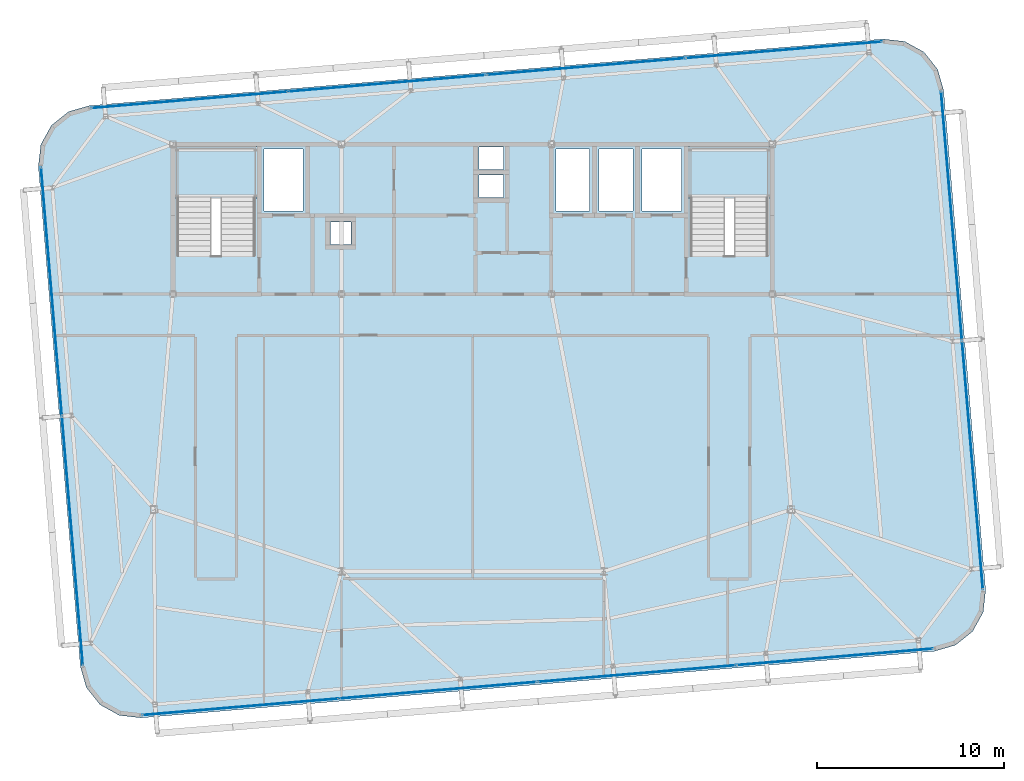
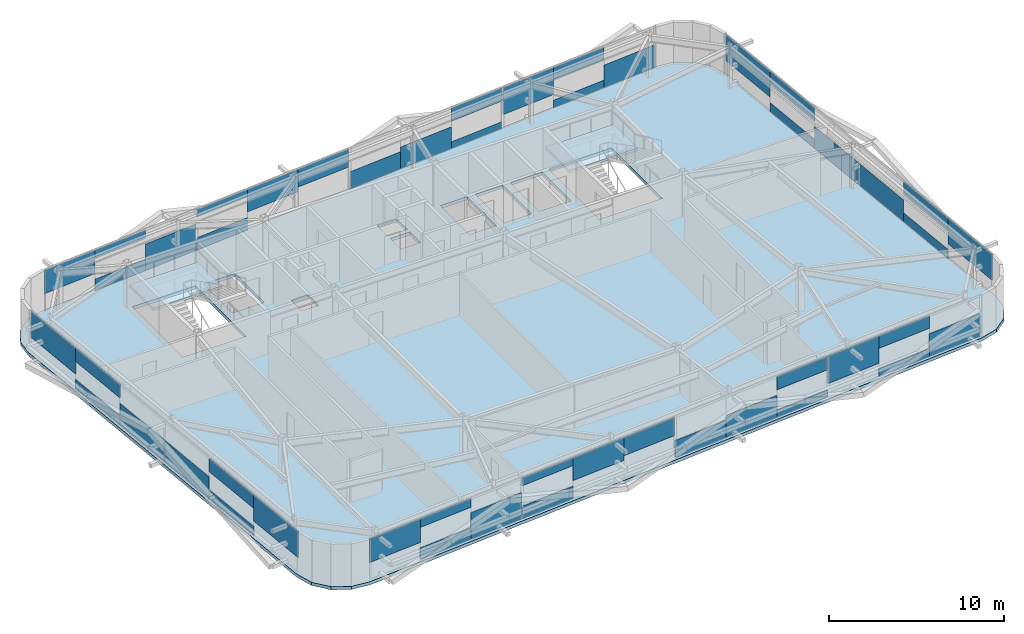
# One storey, part 26 of 39: 48 plates, 3 slabs, 6 elements without a shape of their own.
"""IFC4 building model written with IfcOpenShell, lengths in metres."""

from ifc_helpers import new_model, si_unit, direction, frame, origin, origin_2d, place, context, subcontext, project, spatial, polyline, rectangle, outline, extrude, source, transform, mapped, material, layer, layer_set, type_object, element, aggregate, save


model = new_model("IFC4")

# Units and contexts
model_context = context("Model", 3, precision=1e-05, world=origin(), true_north=direction((0.0, 1.0)))
body_context = subcontext(model_context, "Body", "Model", "MODEL_VIEW")
ifc_project = project(units=[si_unit("LENGTHUNIT", "METRE"), si_unit("AREAUNIT", "SQUARE_METRE"), si_unit("VOLUMEUNIT", "CUBIC_METRE"), si_unit("PLANEANGLEUNIT", "RADIAN"), si_unit("MASSUNIT", "GRAM", prefix="KILO")], contexts=[model_context])

# Site, building, storey
site_placement = place(None, origin())
site = spatial("IfcSite", under=ifc_project, at=site_placement, CompositionType="ELEMENT")
building_placement = place(site_placement, origin())
building = spatial("IfcBuilding", under=site, at=building_placement, Name="Taldren Reach Tower", CompositionType="ELEMENT")
storey_placement = place(building_placement, frame((0.0, 0.0, 197.75)))
storey = spatial("IfcBuildingStorey", under=building, at=storey_placement, Name="L60", CompositionType="ELEMENT", Elevation=197.75)

# Slab
ifc_material_1 = material(Name="Concrete N40 (40 MPa)", Category="concrete")
ifc_layer_1 = layer(ifc_material_1, 0.219970703125)
ifc_layer_set_1 = layer_set([ifc_layer_1], Name="Concrete N40 (40 MPa)")
slab_type_1 = type_object("IfcSlabType", Name="SL-FLR-220", PredefinedType="FLOOR", material=ifc_layer_set_1)
slab_1_placement = place(storey_placement, frame((0.0, 0.0, -0.219970703125)))
element("IfcSlab", 1, at=slab_1_placement, inside=storey, type_object=slab_type_1, Name="Suspended floor slab L60", PredefinedType="FLOOR", context=body_context, shape_type="SweptSolid", body=[
    extrude(outline(polyline([(59.647705078125, 4.935791015625), (60.772705078125, 5.25927734375), (61.688232421875, 5.98876953125), (62.254638671875, 7.012939453125), (62.38623046875, 8.17626953125), (60.1435546875, 34.882080078125), (59.820068359375, 36.007080078125), (59.090576171875, 36.922607421875), (58.06640625, 37.4892578125), (56.903076171875, 37.62060546875), (14.55224609375, 34.064208984375), (13.42724609375, 33.74072265625), (12.511962890625, 33.01123046875), (11.9453125, 31.987060546875), (11.813720703125, 30.82373046875), (14.056396484375, 4.117919921875), (14.3798828125, 2.992919921875), (15.109375, 2.077392578125), (16.1337890625, 1.5107421875), (17.296875, 1.37939453125), (59.647705078125, 4.935791015625)]), holes=[polyline([(19.219970703125, 26.050048828125), (23.3798828125, 26.050048828125), (23.3798828125, 31.820068359375), (19.219970703125, 31.820068359375), (19.219970703125, 26.050048828125)]), polyline([(46.6201171875, 26.050048828125), (50.780029296875, 26.050048828125), (50.780029296875, 31.820068359375), (46.6201171875, 31.820068359375), (46.6201171875, 26.050048828125)]), polyline([(23.85009765625, 28.449951171875), (25.949951171875, 28.449951171875), (25.949951171875, 31.75), (23.85009765625, 31.75), (23.85009765625, 28.449951171875)]), polyline([(44.050048828125, 28.449951171875), (46.14990234375, 28.449951171875), (46.14990234375, 31.75), (44.050048828125, 31.75), (44.050048828125, 28.449951171875)]), polyline([(39.449951171875, 28.449951171875), (41.25, 28.449951171875), (41.25, 31.75), (39.449951171875, 31.75), (39.449951171875, 28.449951171875)]), polyline([(41.75, 28.449951171875), (43.550048828125, 28.449951171875), (43.550048828125, 31.75), (41.75, 31.75), (41.75, 28.449951171875)]), polyline([(35.35009765625, 30.64990234375), (36.64990234375, 30.64990234375), (36.64990234375, 31.85009765625), (35.35009765625, 31.85009765625), (35.35009765625, 30.64990234375)]), polyline([(35.35009765625, 29.14990234375), (36.64990234375, 29.14990234375), (36.64990234375, 30.35009765625), (35.35009765625, 30.35009765625), (35.35009765625, 29.14990234375)]), polyline([(27.39990234375, 26.64990234375), (28.5, 26.64990234375), (28.5, 27.85009765625), (27.39990234375, 27.85009765625), (27.39990234375, 26.64990234375)])]), origin(), (0.0, 0.0, 1.0), 0.219970703125),
])

# Stair, slab
ifc_material_2 = material(Name="Concrete S50 (50 MPa)", Category="concrete")
stair_type = type_object("IfcStairType", Name="ST-HT-315", PredefinedType="HALF_TURN_STAIR", material=ifc_material_2)
stair_1_placement = place(storey_placement, origin())
stair_1 = element("IfcStair", 2, at=stair_1_placement, inside=storey, type_object=stair_type, Name="Fire-isolated exit stair ST1 L60", PredefinedType="HALF_TURN_STAIR")
ifc_layer_2 = layer(ifc_material_2, 0.179931640625)
ifc_layer_set_2 = layer_set([ifc_layer_2], Name="Concrete S50 (50 MPa)")
slab_type_2 = type_object("IfcSlabType", Name="SL-LAND-180", PredefinedType="LANDING", material=ifc_layer_set_2)
slab_2_placement = place(storey_placement, frame((0.0, 0.0, 1.39501953125)))
slab_2 = element("IfcSlab", 3, at=slab_2_placement, type_object=slab_type_2, Name="ST1 landing 1", PredefinedType="LANDING", context=body_context, shape_type="SweptSolid", body=[
    extrude(outline(polyline([(19.0400390625, 29.135009765625), (23.56005859375, 29.135009765625), (23.56005859375, 31.8701171875), (19.0400390625, 31.8701171875), (19.0400390625, 29.135009765625)])), origin(), (0.0, 0.0, 1.0), 0.179931640625),
])
aggregate(stair_1, [slab_2])

stair_2_placement = place(storey_placement, origin())
stair_2 = element("IfcStair", 4, at=stair_2_placement, inside=storey, type_object=stair_type, Name="Fire-isolated exit stair ST2 L60", PredefinedType="HALF_TURN_STAIR")
slab_3_placement = place(storey_placement, frame((0.0, 0.0, 1.39501953125)))
slab_3 = element("IfcSlab", 5, at=slab_3_placement, type_object=slab_type_2, Name="ST2 landing 1", PredefinedType="LANDING", context=body_context, shape_type="SweptSolid", body=[
    extrude(outline(polyline([(46.43994140625, 29.135009765625), (50.9599609375, 29.135009765625), (50.9599609375, 31.8701171875), (46.43994140625, 31.8701171875), (46.43994140625, 29.135009765625)])), origin(), (0.0, 0.0, 1.0), 0.179931640625),
])
aggregate(stair_2, [slab_3])

# Curtain wall, plate
ifc_material_3 = material(Name="Aluminium and Low-E Glass Unitised System", Category="aluminium")
ifc_layer_3 = layer(ifc_material_3, 0.159912109375)
ifc_layer_set_3 = layer_set([ifc_layer_3], Name="Aluminium and Low-E Glass Unitised System")
curtain_wall_type = type_object("IfcCurtainWallType", Name="CW-SYS-5", PredefinedType="NOTDEFINED", material=ifc_layer_set_3)
curtain_wall_1_placement = place(storey_placement, origin())
curtain_wall_1 = element("IfcCurtainWall", 6, at=curtain_wall_1_placement, inside=storey, type_object=curtain_wall_type, Name="Unitised curtain wall CW-L60-S", PredefinedType="NOTDEFINED")
ifc_material_4 = material(Name="Acoustic Triple-Laminated IGU", Category="glass")
ifc_layer_4 = layer(ifc_material_4, 0.035888671875)
ifc_layer_set_4 = layer_set([ifc_layer_4], Name="Acoustic Triple-Laminated IGU")
plate_type = type_object("IfcPlateType", Name="CW-PNL-IGU36", PredefinedType="CURTAIN_PANEL", material=ifc_layer_set_4)
shared_shape_1 = source(origin(), body_context, "Body", "SweptSolid", [
    extrude(rectangle(XDim=3.506591796875, YDim=0.035888671875, at=origin_2d()), origin(), (0.0, 0.0, 1.0), 1.63232421875),
])
plate_1_placement = place(storey_placement, frame((19.10205078125, 1.67138671875, 1.237548828125), z_axis=(0.0, 0.0, 1.0), x_axis=(0.996492854922, 0.083677894865, 0.0)))
plate_1 = element("IfcPlate", 7, at=plate_1_placement, type_object=plate_type, Name="CW-5 panel 1.1 part 1", PredefinedType="CURTAIN_PANEL", context=body_context, shape_type="MappedRepresentation", body=[
    mapped(shared_shape_1, transform((0.0, 0.0, 0.0), scale=1.0)),
])

curtain_wall_2_placement = place(storey_placement, origin())
curtain_wall_2 = element("IfcCurtainWall", 8, at=curtain_wall_2_placement, inside=storey, type_object=curtain_wall_type, Name="Unitised curtain wall CW-L60-N", PredefinedType="NOTDEFINED")
plate_2_placement = place(storey_placement, frame((16.380859375, 34.077392578125, 1.237548828125), z_axis=(0.0, 0.0, 1.0), x_axis=(-0.99649285657, -0.083677875247, 0.0)))
plate_2 = element("IfcPlate", 9, at=plate_2_placement, type_object=plate_type, Name="CW-5 panel 4.1 part 4", PredefinedType="CURTAIN_PANEL", context=body_context, shape_type="MappedRepresentation", body=[
    mapped(shared_shape_1, transform((0.0, 0.0, 0.0), scale=1.0)),
])

# Plate
shared_shape_2 = source(origin(), body_context, "Body", "SweptSolid", [
    extrude(rectangle(XDim=3.506591796875, YDim=0.035888671875, at=origin_2d()), origin(), (0.0, 0.0, 1.0), 0.7919921875),
])
plate_3_placement = place(storey_placement, frame((22.596435546875, 1.96484375, 0.06005859375), z_axis=(0.0, 0.0, 1.0), x_axis=(0.996492854922, 0.083677894865, 0.0)))
plate_3 = element("IfcPlate", 10, at=plate_3_placement, type_object=plate_type, Name="CW-5 panel 1.1 part 2", PredefinedType="CURTAIN_PANEL", context=body_context, shape_type="MappedRepresentation", body=[
    mapped(shared_shape_2, transform((0.0, 0.0, 0.0), scale=1.0)),
])

plate_4_placement = place(storey_placement, frame((19.875244140625, 34.370849609375, 0.06005859375), z_axis=(0.0, 0.0, 1.0), x_axis=(-0.99649285657, -0.083677875247, 0.0)))
plate_4 = element("IfcPlate", 11, at=plate_4_placement, type_object=plate_type, Name="CW-5 panel 4.1 part 2", PredefinedType="CURTAIN_PANEL", context=body_context, shape_type="MappedRepresentation", body=[
    mapped(shared_shape_2, transform((0.0, 0.0, 0.0), scale=1.0)),
])

shared_shape_3 = source(origin(), body_context, "Body", "SweptSolid", [
    extrude(rectangle(XDim=3.506591796875, YDim=0.035888671875, at=origin_2d()), origin(), (0.0, 0.0, 1.0), 0.590576171875),
])
plate_5_placement = place(storey_placement, frame((22.596435546875, 1.96484375, 2.279296875), z_axis=(0.0, 0.0, 1.0), x_axis=(0.996492854922, 0.083677894865, 0.0)))
plate_5 = element("IfcPlate", 12, at=plate_5_placement, type_object=plate_type, Name="CW-5 panel 1.1 part 3", PredefinedType="CURTAIN_PANEL", context=body_context, shape_type="MappedRepresentation", body=[
    mapped(shared_shape_3, transform((0.0, 0.0, 0.0), scale=1.0)),
])

plate_6_placement = place(storey_placement, frame((19.875244140625, 34.370849609375, 2.279296875), z_axis=(0.0, 0.0, 1.0), x_axis=(-0.99649285657, -0.083677875247, 0.0)))
plate_6 = element("IfcPlate", 13, at=plate_6_placement, type_object=plate_type, Name="CW-5 panel 4.1 part 3", PredefinedType="CURTAIN_PANEL", context=body_context, shape_type="MappedRepresentation", body=[
    mapped(shared_shape_3, transform((0.0, 0.0, 0.0), scale=1.0)),
])

shared_shape_4 = source(origin(), body_context, "Body", "SweptSolid", [
    extrude(rectangle(XDim=3.506591796875, YDim=0.035888671875, at=origin_2d()), origin(), (0.0, 0.0, 1.0), 1.833740234375),
])
plate_7_placement = place(storey_placement, frame((26.0908203125, 2.25830078125, 0.06005859375), z_axis=(0.0, 0.0, 1.0), x_axis=(0.996492854922, 0.083677894865, 0.0)))
plate_7 = element("IfcPlate", 14, at=plate_7_placement, type_object=plate_type, Name="CW-5 panel 1.1 part 4", PredefinedType="CURTAIN_PANEL", context=body_context, shape_type="MappedRepresentation", body=[
    mapped(shared_shape_4, transform((0.0, 0.0, 0.0), scale=1.0)),
])

plate_8_placement = place(storey_placement, frame((23.36962890625, 34.664306640625, 0.06005859375), z_axis=(0.0, 0.0, 1.0), x_axis=(-0.99649285657, -0.083677875247, 0.0)))
plate_8 = element("IfcPlate", 15, at=plate_8_placement, type_object=plate_type, Name="CW-5 panel 4.1 part 1", PredefinedType="CURTAIN_PANEL", context=body_context, shape_type="MappedRepresentation", body=[
    mapped(shared_shape_4, transform((0.0, 0.0, 0.0), scale=1.0)),
])

shared_shape_5 = source(origin(), body_context, "Body", "SweptSolid", [
    extrude(rectangle(XDim=3.518310546875, YDim=0.035888671875, at=origin_2d()), origin(), (0.0, 0.0, 1.0), 0.85302734375),
])
plate_9_placement = place(storey_placement, frame((29.66064453125, 2.55810546875, 0.06005859375), z_axis=(0.0, 0.0, 1.0), x_axis=(0.996492854922, 0.083677894865, 0.0)))
plate_9 = element("IfcPlate", 16, at=plate_9_placement, type_object=plate_type, Name="CW-5 panel 2.1 part 1", PredefinedType="CURTAIN_PANEL", context=body_context, shape_type="MappedRepresentation", body=[
    mapped(shared_shape_5, transform((0.0, 0.0, 0.0), scale=1.0)),
])

plate_10_placement = place(storey_placement, frame((26.939453125, 34.964111328125, 0.06005859375), z_axis=(0.0, 0.0, 1.0), x_axis=(-0.99649285657, -0.083677875247, 0.0)))
plate_10 = element("IfcPlate", 17, at=plate_10_placement, type_object=plate_type, Name="CW-5 panel 3.1 part 3", PredefinedType="CURTAIN_PANEL", context=body_context, shape_type="MappedRepresentation", body=[
    mapped(shared_shape_5, transform((0.0, 0.0, 0.0), scale=1.0)),
])

shared_shape_6 = source(origin(), body_context, "Body", "SweptSolid", [
    extrude(rectangle(XDim=3.518310546875, YDim=0.035888671875, at=origin_2d()), origin(), (0.0, 0.0, 1.0), 0.5263671875),
])
plate_11_placement = place(storey_placement, frame((29.66064453125, 2.55810546875, 2.34375), z_axis=(0.0, 0.0, 1.0), x_axis=(0.996492854922, 0.083677894865, 0.0)))
plate_11 = element("IfcPlate", 18, at=plate_11_placement, type_object=plate_type, Name="CW-5 panel 2.1 part 2", PredefinedType="CURTAIN_PANEL", context=body_context, shape_type="MappedRepresentation", body=[
    mapped(shared_shape_6, transform((0.0, 0.0, 0.0), scale=1.0)),
])

plate_12_placement = place(storey_placement, frame((26.939453125, 34.964111328125, 2.34375), z_axis=(0.0, 0.0, 1.0), x_axis=(-0.99649285657, -0.083677875247, 0.0)))
plate_12 = element("IfcPlate", 19, at=plate_12_placement, type_object=plate_type, Name="CW-5 panel 3.1 part 4", PredefinedType="CURTAIN_PANEL", context=body_context, shape_type="MappedRepresentation", body=[
    mapped(shared_shape_6, transform((0.0, 0.0, 0.0), scale=1.0)),
])

shared_shape_7 = source(origin(), body_context, "Body", "SweptSolid", [
    extrude(rectangle(XDim=3.518310546875, YDim=0.035888671875, at=origin_2d()), origin(), (0.0, 0.0, 1.0), 1.571533203125),
])
plate_13_placement = place(storey_placement, frame((33.166748046875, 2.8525390625, 1.29833984375), z_axis=(0.0, 0.0, 1.0), x_axis=(0.996492854922, 0.083677894865, 0.0)))
plate_13 = element("IfcPlate", 20, at=plate_13_placement, type_object=plate_type, Name="CW-5 panel 2.1 part 3", PredefinedType="CURTAIN_PANEL", context=body_context, shape_type="MappedRepresentation", body=[
    mapped(shared_shape_7, transform((0.0, 0.0, 0.0), scale=1.0)),
])

plate_14_placement = place(storey_placement, frame((30.445556640625, 35.258544921875, 1.29833984375), z_axis=(0.0, 0.0, 1.0), x_axis=(-0.99649285657, -0.083677875247, 0.0)))
plate_14 = element("IfcPlate", 21, at=plate_14_placement, type_object=plate_type, Name="CW-5 panel 3.1 part 2", PredefinedType="CURTAIN_PANEL", context=body_context, shape_type="MappedRepresentation", body=[
    mapped(shared_shape_7, transform((0.0, 0.0, 0.0), scale=1.0)),
])

shared_shape_8 = source(origin(), body_context, "Body", "SweptSolid", [
    extrude(rectangle(XDim=3.518310546875, YDim=0.035888671875, at=origin_2d()), origin(), (0.0, 0.0, 1.0), 1.252685546875),
])
plate_15_placement = place(storey_placement, frame((36.672607421875, 3.14697265625, 1.6171875), z_axis=(0.0, 0.0, 1.0), x_axis=(0.996492854922, 0.083677894865, 0.0)))
plate_15 = element("IfcPlate", 22, at=plate_15_placement, type_object=plate_type, Name="CW-5 panel 2.1 part 4", PredefinedType="CURTAIN_PANEL", context=body_context, shape_type="MappedRepresentation", body=[
    mapped(shared_shape_8, transform((0.0, 0.0, 0.0), scale=1.0)),
])

plate_16_placement = place(storey_placement, frame((33.951416015625, 35.552734375, 1.6171875), z_axis=(0.0, 0.0, 1.0), x_axis=(-0.99649285657, -0.083677875247, 0.0)))
plate_16 = element("IfcPlate", 23, at=plate_16_placement, type_object=plate_type, Name="CW-5 panel 3.1 part 1", PredefinedType="CURTAIN_PANEL", context=body_context, shape_type="MappedRepresentation", body=[
    mapped(shared_shape_8, transform((0.0, 0.0, 0.0), scale=1.0)),
])

shared_shape_9 = source(origin(), body_context, "Body", "SweptSolid", [
    extrude(rectangle(XDim=3.518310546875, YDim=0.035888671875, at=origin_2d()), origin(), (0.0, 0.0, 1.0), 1.192626953125),
])
plate_17_placement = place(storey_placement, frame((40.24853515625, 3.447265625, 0.06005859375), z_axis=(0.0, 0.0, 1.0), x_axis=(0.996492854922, 0.083677894865, 0.0)))
plate_17 = element("IfcPlate", 24, at=plate_17_placement, type_object=plate_type, Name="CW-5 panel 3.1 part 1", PredefinedType="CURTAIN_PANEL", context=body_context, shape_type="MappedRepresentation", body=[
    mapped(shared_shape_9, transform((0.0, 0.0, 0.0), scale=1.0)),
])

plate_18_placement = place(storey_placement, frame((37.52734375, 35.85302734375, 0.06005859375), z_axis=(0.0, 0.0, 1.0), x_axis=(-0.99649285657, -0.083677875247, 0.0)))
plate_18 = element("IfcPlate", 25, at=plate_18_placement, type_object=plate_type, Name="CW-5 panel 2.1 part 4", PredefinedType="CURTAIN_PANEL", context=body_context, shape_type="MappedRepresentation", body=[
    mapped(shared_shape_9, transform((0.0, 0.0, 0.0), scale=1.0)),
])

shared_shape_10 = source(origin(), body_context, "Body", "SweptSolid", [
    extrude(rectangle(XDim=3.518310546875, YDim=0.035888671875, at=origin_2d()), origin(), (0.0, 0.0, 1.0), 1.511474609375),
])
plate_19_placement = place(storey_placement, frame((43.75439453125, 3.741455078125, 0.06005859375), z_axis=(0.0, 0.0, 1.0), x_axis=(0.996492854922, 0.083677894865, 0.0)))
plate_19 = element("IfcPlate", 26, at=plate_19_placement, type_object=plate_type, Name="CW-5 panel 3.1 part 2", PredefinedType="CURTAIN_PANEL", context=body_context, shape_type="MappedRepresentation", body=[
    mapped(shared_shape_10, transform((0.0, 0.0, 0.0), scale=1.0)),
])

plate_20_placement = place(storey_placement, frame((41.033203125, 36.1474609375, 0.06005859375), z_axis=(0.0, 0.0, 1.0), x_axis=(-0.99649285657, -0.083677875247, 0.0)))
plate_20 = element("IfcPlate", 27, at=plate_20_placement, type_object=plate_type, Name="CW-5 panel 2.1 part 3", PredefinedType="CURTAIN_PANEL", context=body_context, shape_type="MappedRepresentation", body=[
    mapped(shared_shape_10, transform((0.0, 0.0, 0.0), scale=1.0)),
])

shared_shape_11 = source(origin(), body_context, "Body", "SweptSolid", [
    extrude(rectangle(XDim=3.518310546875, YDim=0.035888671875, at=origin_2d()), origin(), (0.0, 0.0, 1.0), 0.46630859375),
])
plate_21_placement = place(storey_placement, frame((47.260498046875, 4.035888671875, 0.06005859375), z_axis=(0.0, 0.0, 1.0), x_axis=(0.996492854922, 0.083677894865, 0.0)))
plate_21 = element("IfcPlate", 28, at=plate_21_placement, type_object=plate_type, Name="CW-5 panel 3.1 part 3", PredefinedType="CURTAIN_PANEL", context=body_context, shape_type="MappedRepresentation", body=[
    mapped(shared_shape_11, transform((0.0, 0.0, 0.0), scale=1.0)),
])

plate_22_placement = place(storey_placement, frame((44.539306640625, 36.44189453125, 0.06005859375), z_axis=(0.0, 0.0, 1.0), x_axis=(-0.99649285657, -0.083677875247, 0.0)))
plate_22 = element("IfcPlate", 29, at=plate_22_placement, type_object=plate_type, Name="CW-5 panel 2.1 part 1", PredefinedType="CURTAIN_PANEL", context=body_context, shape_type="MappedRepresentation", body=[
    mapped(shared_shape_11, transform((0.0, 0.0, 0.0), scale=1.0)),
])

shared_shape_12 = source(origin(), body_context, "Body", "SweptSolid", [
    extrude(rectangle(XDim=3.518310546875, YDim=0.035888671875, at=origin_2d()), origin(), (0.0, 0.0, 1.0), 0.9130859375),
])
plate_23_placement = place(storey_placement, frame((47.260498046875, 4.035888671875, 1.95703125), z_axis=(0.0, 0.0, 1.0), x_axis=(0.996492854922, 0.083677894865, 0.0)))
plate_23 = element("IfcPlate", 30, at=plate_23_placement, type_object=plate_type, Name="CW-5 panel 3.1 part 4", PredefinedType="CURTAIN_PANEL", context=body_context, shape_type="MappedRepresentation", body=[
    mapped(shared_shape_12, transform((0.0, 0.0, 0.0), scale=1.0)),
])

plate_24_placement = place(storey_placement, frame((44.539306640625, 36.44189453125, 1.95703125), z_axis=(0.0, 0.0, 1.0), x_axis=(-0.99649285657, -0.083677875247, 0.0)))
plate_24 = element("IfcPlate", 31, at=plate_24_placement, type_object=plate_type, Name="CW-5 panel 2.1 part 2", PredefinedType="CURTAIN_PANEL", context=body_context, shape_type="MappedRepresentation", body=[
    mapped(shared_shape_12, transform((0.0, 0.0, 0.0), scale=1.0)),
])

shared_shape_13 = source(origin(), body_context, "Body", "SweptSolid", [
    extrude(rectangle(XDim=3.506591796875, YDim=0.035888671875, at=origin_2d()), origin(), (0.0, 0.0, 1.0), 1.893798828125),
])
plate_25_placement = place(storey_placement, frame((50.830322265625, 4.335693359375, 0.97607421875), z_axis=(0.0, 0.0, 1.0), x_axis=(0.996492854922, 0.083677894865, 0.0)))
plate_25 = element("IfcPlate", 32, at=plate_25_placement, type_object=plate_type, Name="CW-5 panel 4.1 part 1", PredefinedType="CURTAIN_PANEL", context=body_context, shape_type="MappedRepresentation", body=[
    mapped(shared_shape_13, transform((0.0, 0.0, 0.0), scale=1.0)),
])

plate_26_placement = place(storey_placement, frame((48.109130859375, 36.74169921875, 0.97607421875), z_axis=(0.0, 0.0, 1.0), x_axis=(-0.99649285657, -0.083677875247, 0.0)))
plate_26 = element("IfcPlate", 33, at=plate_26_placement, type_object=plate_type, Name="CW-5 panel 1.1 part 4", PredefinedType="CURTAIN_PANEL", context=body_context, shape_type="MappedRepresentation", body=[
    mapped(shared_shape_13, transform((0.0, 0.0, 0.0), scale=1.0)),
])

shared_shape_14 = source(origin(), body_context, "Body", "SweptSolid", [
    extrude(rectangle(XDim=3.506591796875, YDim=0.035888671875, at=origin_2d()), origin(), (0.0, 0.0, 1.0), 0.53076171875),
])
plate_27_placement = place(storey_placement, frame((54.32470703125, 4.629150390625, 0.06005859375), z_axis=(0.0, 0.0, 1.0), x_axis=(0.996492854922, 0.083677894865, 0.0)))
plate_27 = element("IfcPlate", 34, at=plate_27_placement, type_object=plate_type, Name="CW-5 panel 4.1 part 2", PredefinedType="CURTAIN_PANEL", context=body_context, shape_type="MappedRepresentation", body=[
    mapped(shared_shape_14, transform((0.0, 0.0, 0.0), scale=1.0)),
])

plate_28_placement = place(storey_placement, frame((51.603515625, 37.03515625, 0.06005859375), z_axis=(0.0, 0.0, 1.0), x_axis=(-0.99649285657, -0.083677875247, 0.0)))
plate_28 = element("IfcPlate", 35, at=plate_28_placement, type_object=plate_type, Name="CW-5 panel 1.1 part 2", PredefinedType="CURTAIN_PANEL", context=body_context, shape_type="MappedRepresentation", body=[
    mapped(shared_shape_14, transform((0.0, 0.0, 0.0), scale=1.0)),
])

shared_shape_15 = source(origin(), body_context, "Body", "SweptSolid", [
    extrude(rectangle(XDim=3.506591796875, YDim=0.035888671875, at=origin_2d()), origin(), (0.0, 0.0, 1.0), 0.85205078125),
])
plate_29_placement = place(storey_placement, frame((54.32470703125, 4.629150390625, 2.017822265625), z_axis=(0.0, 0.0, 1.0), x_axis=(0.996492854922, 0.083677894865, 0.0)))
plate_29 = element("IfcPlate", 36, at=plate_29_placement, type_object=plate_type, Name="CW-5 panel 4.1 part 3", PredefinedType="CURTAIN_PANEL", context=body_context, shape_type="MappedRepresentation", body=[
    mapped(shared_shape_15, transform((0.0, 0.0, 0.0), scale=1.0)),
])

plate_30_placement = place(storey_placement, frame((51.603515625, 37.03515625, 2.017822265625), z_axis=(0.0, 0.0, 1.0), x_axis=(-0.99649285657, -0.083677875247, 0.0)))
plate_30 = element("IfcPlate", 37, at=plate_30_placement, type_object=plate_type, Name="CW-5 panel 1.1 part 3", PredefinedType="CURTAIN_PANEL", context=body_context, shape_type="MappedRepresentation", body=[
    mapped(shared_shape_15, transform((0.0, 0.0, 0.0), scale=1.0)),
])

shared_shape_16 = source(origin(), body_context, "Body", "SweptSolid", [
    extrude(rectangle(XDim=3.506591796875, YDim=0.035888671875, at=origin_2d()), origin(), (0.0, 0.0, 1.0), 1.572265625),
])
plate_31_placement = place(storey_placement, frame((57.819091796875, 4.922607421875, 0.06005859375), z_axis=(0.0, 0.0, 1.0), x_axis=(0.996492854922, 0.083677894865, 0.0)))
plate_31 = element("IfcPlate", 38, at=plate_31_placement, type_object=plate_type, Name="CW-5 panel 4.1 part 4", PredefinedType="CURTAIN_PANEL", context=body_context, shape_type="MappedRepresentation", body=[
    mapped(shared_shape_16, transform((0.0, 0.0, 0.0), scale=1.0)),
])

aggregate(curtain_wall_1, [plate_1, plate_3, plate_5, plate_7, plate_9, plate_11, plate_13, plate_15, plate_17, plate_19, plate_21, plate_23, plate_25, plate_27, plate_29, plate_31])

plate_32_placement = place(storey_placement, frame((55.097900390625, 37.32861328125, 0.06005859375), z_axis=(0.0, 0.0, 1.0), x_axis=(-0.99649285657, -0.083677875247, 0.0)))
plate_32 = element("IfcPlate", 39, at=plate_32_placement, type_object=plate_type, Name="CW-5 panel 1.1 part 1", PredefinedType="CURTAIN_PANEL", context=body_context, shape_type="MappedRepresentation", body=[
    mapped(shared_shape_16, transform((0.0, 0.0, 0.0), scale=1.0)),
])

aggregate(curtain_wall_2, [plate_32, plate_28, plate_30, plate_26, plate_22, plate_24, plate_20, plate_18, plate_16, plate_14, plate_10, plate_12, plate_8, plate_4, plate_6, plate_2])

# Curtain wall, plates
curtain_wall_3_placement = place(storey_placement, origin())
curtain_wall_3 = element("IfcCurtainWall", 40, at=curtain_wall_3_placement, inside=storey, type_object=curtain_wall_type, Name="Unitised curtain wall CW-L60-W", PredefinedType="NOTDEFINED")
shared_shape_17 = source(origin(), body_context, "Body", "SweptSolid", [
    extrude(rectangle(XDim=4.431640625, YDim=0.035888671875, at=origin_2d()), origin(), (0.0, 0.0, 1.0), 1.803955078125),
])
plate_33_placement = place(storey_placement, frame((12.14453125, 28.5576171875, 1.06591796875), z_axis=(0.0, 0.0, 1.0), x_axis=(0.083677979808, -0.996492847789, 0.0)))
plate_33 = element("IfcPlate", 41, at=plate_33_placement, type_object=plate_type, Name="CW-5 panel 1.1 part 1", PredefinedType="CURTAIN_PANEL", context=body_context, shape_type="MappedRepresentation", body=[
    mapped(shared_shape_17, transform((0.0, 0.0, 0.0), scale=1.0)),
])
plate_34_placement = place(storey_placement, frame((14.004638671875, 6.4072265625, 1.06591796875), z_axis=(0.0, 0.0, 1.0), x_axis=(0.083677979808, -0.996492847789, 0.0)))
plate_34 = element("IfcPlate", 42, at=plate_34_placement, type_object=plate_type, Name="CW-5 panel 2.1 part 4", PredefinedType="CURTAIN_PANEL", context=body_context, shape_type="MappedRepresentation", body=[
    mapped(shared_shape_17, transform((0.0, 0.0, 0.0), scale=1.0)),
])

curtain_wall_4_placement = place(storey_placement, origin())
curtain_wall_4 = element("IfcCurtainWall", 43, at=curtain_wall_4_placement, inside=storey, type_object=curtain_wall_type, Name="Unitised curtain wall CW-L60-E", PredefinedType="NOTDEFINED")
plate_35_placement = place(storey_placement, frame((62.055419921875, 10.4423828125, 1.06591796875), z_axis=(0.0, 0.0, 1.0), x_axis=(-0.083677979808, 0.996492847789, 0.0)))
plate_35 = element("IfcPlate", 44, at=plate_35_placement, type_object=plate_type, Name="CW-5 panel 1.1 part 1", PredefinedType="CURTAIN_PANEL", context=body_context, shape_type="MappedRepresentation", body=[
    mapped(shared_shape_17, transform((0.0, 0.0, 0.0), scale=1.0)),
])
plate_36_placement = place(storey_placement, frame((60.1953125, 32.5927734375, 1.06591796875), z_axis=(0.0, 0.0, 1.0), x_axis=(-0.083677979808, 0.996492847789, 0.0)))
plate_36 = element("IfcPlate", 45, at=plate_36_placement, type_object=plate_type, Name="CW-5 panel 2.1 part 4", PredefinedType="CURTAIN_PANEL", context=body_context, shape_type="MappedRepresentation", body=[
    mapped(shared_shape_17, transform((0.0, 0.0, 0.0), scale=1.0)),
])

# Plate
shared_shape_18 = source(origin(), body_context, "Body", "SweptSolid", [
    extrude(rectangle(XDim=4.431640625, YDim=0.035888671875, at=origin_2d()), origin(), (0.0, 0.0, 1.0), 0.629150390625),
])
plate_37_placement = place(storey_placement, frame((12.515380859375, 24.1416015625, 0.06005859375), z_axis=(0.0, 0.0, 1.0), x_axis=(0.083677979808, -0.996492847789, 0.0)))
plate_37 = element("IfcPlate", 46, at=plate_37_placement, type_object=plate_type, Name="CW-5 panel 1.1 part 2", PredefinedType="CURTAIN_PANEL", context=body_context, shape_type="MappedRepresentation", body=[
    mapped(shared_shape_18, transform((0.0, 0.0, 0.0), scale=1.0)),
])

plate_38_placement = place(storey_placement, frame((13.6337890625, 10.823486328125, 0.06005859375), z_axis=(0.0, 0.0, 1.0), x_axis=(0.083677979808, -0.996492847789, 0.0)))
plate_38 = element("IfcPlate", 47, at=plate_38_placement, type_object=plate_type, Name="CW-5 panel 2.1 part 2", PredefinedType="CURTAIN_PANEL", context=body_context, shape_type="MappedRepresentation", body=[
    mapped(shared_shape_18, transform((0.0, 0.0, 0.0), scale=1.0)),
])

plate_39_placement = place(storey_placement, frame((61.6845703125, 14.8583984375, 0.06005859375), z_axis=(0.0, 0.0, 1.0), x_axis=(-0.083677979808, 0.996492847789, 0.0)))
plate_39 = element("IfcPlate", 48, at=plate_39_placement, type_object=plate_type, Name="CW-5 panel 1.1 part 2", PredefinedType="CURTAIN_PANEL", context=body_context, shape_type="MappedRepresentation", body=[
    mapped(shared_shape_18, transform((0.0, 0.0, 0.0), scale=1.0)),
])

plate_40_placement = place(storey_placement, frame((60.566162109375, 28.176513671875, 0.06005859375), z_axis=(0.0, 0.0, 1.0), x_axis=(-0.083677979808, 0.996492847789, 0.0)))
plate_40 = element("IfcPlate", 49, at=plate_40_placement, type_object=plate_type, Name="CW-5 panel 2.1 part 2", PredefinedType="CURTAIN_PANEL", context=body_context, shape_type="MappedRepresentation", body=[
    mapped(shared_shape_18, transform((0.0, 0.0, 0.0), scale=1.0)),
])

shared_shape_19 = source(origin(), body_context, "Body", "SweptSolid", [
    extrude(rectangle(XDim=4.431640625, YDim=0.035888671875, at=origin_2d()), origin(), (0.0, 0.0, 1.0), 0.921142578125),
])
plate_41_placement = place(storey_placement, frame((12.515380859375, 24.1416015625, 1.94873046875), z_axis=(0.0, 0.0, 1.0), x_axis=(0.083677979808, -0.996492847789, 0.0)))
plate_41 = element("IfcPlate", 50, at=plate_41_placement, type_object=plate_type, Name="CW-5 panel 1.1 part 3", PredefinedType="CURTAIN_PANEL", context=body_context, shape_type="MappedRepresentation", body=[
    mapped(shared_shape_19, transform((0.0, 0.0, 0.0), scale=1.0)),
])

plate_42_placement = place(storey_placement, frame((13.6337890625, 10.823486328125, 1.94873046875), z_axis=(0.0, 0.0, 1.0), x_axis=(0.083677979808, -0.996492847789, 0.0)))
plate_42 = element("IfcPlate", 51, at=plate_42_placement, type_object=plate_type, Name="CW-5 panel 2.1 part 3", PredefinedType="CURTAIN_PANEL", context=body_context, shape_type="MappedRepresentation", body=[
    mapped(shared_shape_19, transform((0.0, 0.0, 0.0), scale=1.0)),
])

plate_43_placement = place(storey_placement, frame((61.6845703125, 14.8583984375, 1.94873046875), z_axis=(0.0, 0.0, 1.0), x_axis=(-0.083677979808, 0.996492847789, 0.0)))
plate_43 = element("IfcPlate", 52, at=plate_43_placement, type_object=plate_type, Name="CW-5 panel 1.1 part 3", PredefinedType="CURTAIN_PANEL", context=body_context, shape_type="MappedRepresentation", body=[
    mapped(shared_shape_19, transform((0.0, 0.0, 0.0), scale=1.0)),
])

plate_44_placement = place(storey_placement, frame((60.566162109375, 28.176513671875, 1.94873046875), z_axis=(0.0, 0.0, 1.0), x_axis=(-0.083677979808, 0.996492847789, 0.0)))
plate_44 = element("IfcPlate", 53, at=plate_44_placement, type_object=plate_type, Name="CW-5 panel 2.1 part 3", PredefinedType="CURTAIN_PANEL", context=body_context, shape_type="MappedRepresentation", body=[
    mapped(shared_shape_19, transform((0.0, 0.0, 0.0), scale=1.0)),
])

shared_shape_20 = source(origin(), body_context, "Body", "SweptSolid", [
    extrude(rectangle(XDim=4.431640625, YDim=0.035888671875, at=origin_2d()), origin(), (0.0, 0.0, 1.0), 1.51171875),
])
plate_45_placement = place(storey_placement, frame((12.88623046875, 19.7255859375, 0.06005859375), z_axis=(0.0, 0.0, 1.0), x_axis=(0.083677979808, -0.996492847789, 0.0)))
plate_45 = element("IfcPlate", 54, at=plate_45_placement, type_object=plate_type, Name="CW-5 panel 1.1 part 4", PredefinedType="CURTAIN_PANEL", context=body_context, shape_type="MappedRepresentation", body=[
    mapped(shared_shape_20, transform((0.0, 0.0, 0.0), scale=1.0)),
])

plate_46_placement = place(storey_placement, frame((13.262939453125, 15.239501953125, 0.06005859375), z_axis=(0.0, 0.0, 1.0), x_axis=(0.083677979808, -0.996492847789, 0.0)))
plate_46 = element("IfcPlate", 55, at=plate_46_placement, type_object=plate_type, Name="CW-5 panel 2.1 part 1", PredefinedType="CURTAIN_PANEL", context=body_context, shape_type="MappedRepresentation", body=[
    mapped(shared_shape_20, transform((0.0, 0.0, 0.0), scale=1.0)),
])

aggregate(curtain_wall_3, [plate_33, plate_37, plate_41, plate_45, plate_46, plate_38, plate_42, plate_34])

plate_47_placement = place(storey_placement, frame((61.313720703125, 19.2744140625, 0.06005859375), z_axis=(0.0, 0.0, 1.0), x_axis=(-0.083677979808, 0.996492847789, 0.0)))
plate_47 = element("IfcPlate", 56, at=plate_47_placement, type_object=plate_type, Name="CW-5 panel 1.1 part 4", PredefinedType="CURTAIN_PANEL", context=body_context, shape_type="MappedRepresentation", body=[
    mapped(shared_shape_20, transform((0.0, 0.0, 0.0), scale=1.0)),
])

plate_48_placement = place(storey_placement, frame((60.93701171875, 23.760498046875, 0.06005859375), z_axis=(0.0, 0.0, 1.0), x_axis=(-0.083677979808, 0.996492847789, 0.0)))
plate_48 = element("IfcPlate", 57, at=plate_48_placement, type_object=plate_type, Name="CW-5 panel 2.1 part 1", PredefinedType="CURTAIN_PANEL", context=body_context, shape_type="MappedRepresentation", body=[
    mapped(shared_shape_20, transform((0.0, 0.0, 0.0), scale=1.0)),
])

aggregate(curtain_wall_4, [plate_35, plate_39, plate_43, plate_47, plate_48, plate_40, plate_44, plate_36])

save(model, "model.ifc")
